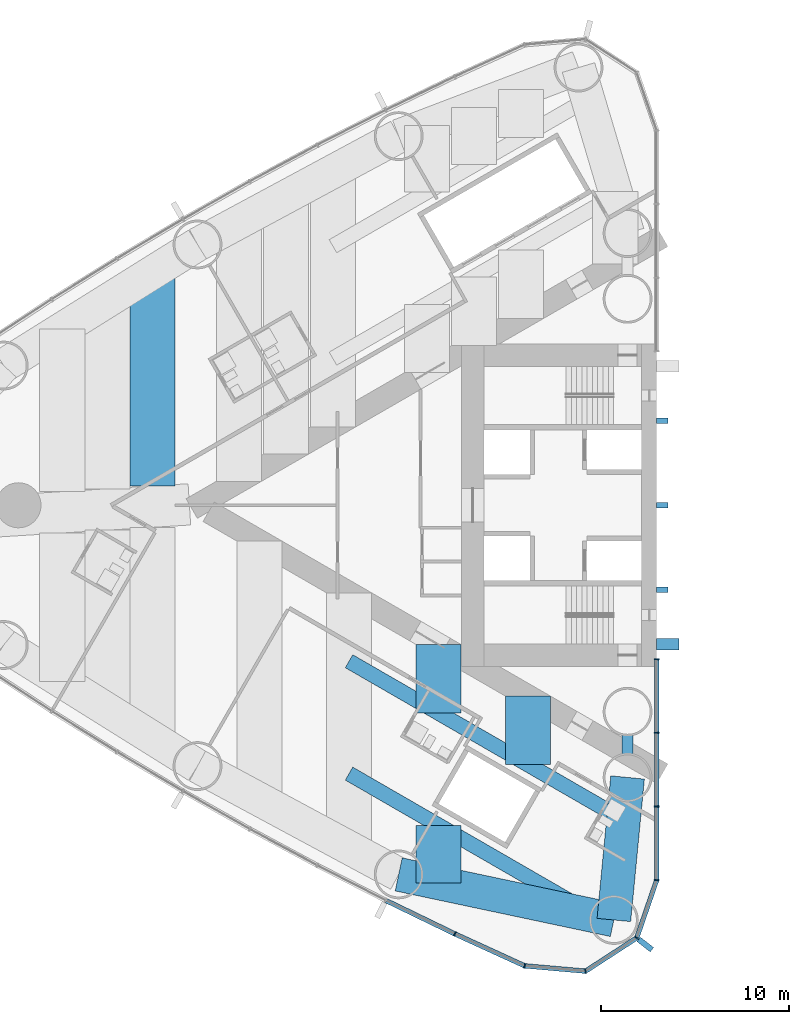
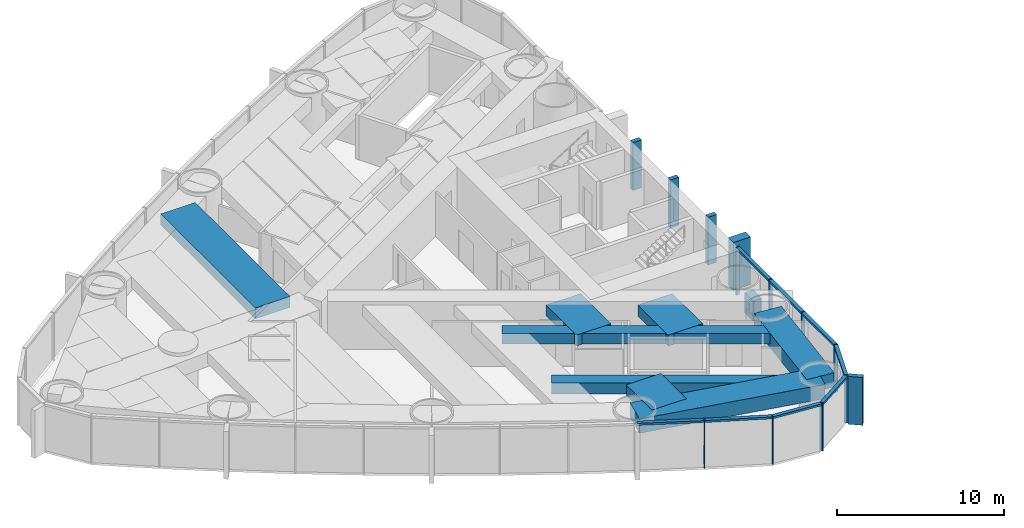
# One storey, part 3 of 18: 21 members, 9 beams, 1 element without a shape of its own.
"""IFC4 building model written with IfcOpenShell, lengths in metres."""

from ifc_helpers import new_model, si_unit, direction, frame, origin, origin_2d, place, context, subcontext, project, spatial, rectangle, hollow_rectangle, extrude, material, material_profile, profile_set, type_object, element, aggregate, save


model = new_model("IFC4")

# Units and contexts
model_context = context("Model", 3, precision=1e-05, world=origin(), true_north=direction((0.0, 1.0)))
body_context = subcontext(model_context, "Body", "Model", "MODEL_VIEW")
ifc_project = project(units=[si_unit("LENGTHUNIT", "METRE"), si_unit("AREAUNIT", "SQUARE_METRE"), si_unit("VOLUMEUNIT", "CUBIC_METRE"), si_unit("PLANEANGLEUNIT", "RADIAN"), si_unit("MASSUNIT", "GRAM", prefix="KILO")], contexts=[model_context])

# Site, building, storey
site_placement = place(None, origin())
site = spatial("IfcSite", under=ifc_project, at=site_placement, CompositionType="ELEMENT")
building_placement = place(site_placement, origin())
building = spatial("IfcBuilding", under=site, at=building_placement, Name="Lancet Gate Hotel", CompositionType="ELEMENT")
storey_placement = place(building_placement, frame((0.0, 0.0, 118.60009765625)))
storey = spatial("IfcBuildingStorey", under=building, at=storey_placement, Name="L31", CompositionType="ELEMENT", Elevation=118.60009765625)

# Curtain wall, members
ifc_material_1 = material(Name="Aluminium curtain wall", Category="aluminium")
curtain_wall_type = type_object("IfcCurtainWallType", Name="Tower unitised curtain wall", PredefinedType="USERDEFINED", material=ifc_material_1)
curtain_wall_placement = place(storey_placement, origin())
curtain_wall = element("IfcCurtainWall", 1, at=curtain_wall_placement, inside=storey, type_object=curtain_wall_type, Name="T1 L31 curtain wall 1", ObjectType="UNITISED CURTAIN WALL", PredefinedType="USERDEFINED")
ifc_material_2 = material(Name="Aluminium mullion", Category="aluminium")
ifc_material_profile_1 = material_profile(ifc_material_2, rectangle(XDim=0.06494140625, YDim=0.25, at=origin_2d()), Name="MULLION 65x250")
ifc_profile_set_1 = profile_set([ifc_material_profile_1], Name="Aluminium mullion")
member_type_1 = type_object("IfcMemberType", Name="Aluminium mullion 65x250", PredefinedType="MULLION", material=ifc_profile_set_1)
member_1_placement = place(storey_placement, frame((-38.25244140625, -22.83642578125, 0.0), z_axis=(0.0, 0.0, 1.0), x_axis=(0.904719609771, -0.426007544178, 0.0)))
member_1 = element("IfcMember", 2, at=member_1_placement, type_object=member_type_1, Name="T1 L31 curtain wall 1 mullion 29", PredefinedType="MULLION", context=body_context, shape_type="SweptSolid", body=[
    extrude(rectangle(XDim=0.06494140625, YDim=0.25, at=origin_2d()), origin(), (0.0, 0.0, 1.0), 3.5),
])
member_2_placement = place(storey_placement, frame((-34.5322265625, -24.53955078125, 0.0), z_axis=(0.0, 0.0, 1.0), x_axis=(0.961653318232, -0.27426792655, 0.0)))
member_2 = element("IfcMember", 3, at=member_2_placement, type_object=member_type_1, Name="T1 L31 curtain wall 1 mullion 30", PredefinedType="MULLION", context=body_context, shape_type="SweptSolid", body=[
    extrude(rectangle(XDim=0.06494140625, YDim=0.25, at=origin_2d()), origin(), (0.0, 0.0, 1.0), 3.5),
])
member_3_placement = place(storey_placement, frame((-31.289306640625, -24.822265625, 0.0), z_axis=(0.0, 0.0, 1.0), x_axis=(0.970242142288, 0.242136707934, 0.0)))
member_3 = element("IfcMember", 4, at=member_3_placement, type_object=member_type_1, Name="T1 L31 curtain wall 1 mullion 31", PredefinedType="MULLION", context=body_context, shape_type="SweptSolid", body=[
    extrude(rectangle(XDim=0.06494140625, YDim=0.25, at=origin_2d()), origin(), (0.0, 0.0, 1.0), 3.5),
])
member_4_placement = place(storey_placement, frame((-28.5595703125, -23.049072265625, 0.0), z_axis=(0.0, 0.0, 1.0), x_axis=(0.615574240878, 0.788078900851, 0.0)))
member_4 = element("IfcMember", 5, at=member_4_placement, type_object=member_type_1, Name="T1 L31 curtain wall 1 mullion 32", PredefinedType="MULLION", context=body_context, shape_type="SweptSolid", body=[
    extrude(rectangle(XDim=0.06494140625, YDim=0.25, at=origin_2d()), origin(), (0.0, 0.0, 1.0), 3.5),
])
member_5_placement = place(storey_placement, frame((-27.5, -19.97119140625, 0.0), z_axis=(0.0, 0.0, 1.0), x_axis=(0.149634446211, 0.988741388082, 0.0)))
member_5 = element("IfcMember", 6, at=member_5_placement, type_object=member_type_1, Name="T1 L31 curtain wall 1 mullion 33", PredefinedType="MULLION", context=body_context, shape_type="SweptSolid", body=[
    extrude(rectangle(XDim=0.06494140625, YDim=0.25, at=origin_2d()), origin(), (0.0, 0.0, 1.0), 3.5),
])
member_6_placement = place(storey_placement, frame((-27.5, -16.04736328125, 0.0), z_axis=(0.0, 0.0, 1.0), x_axis=(0.0, 1.0, 0.0)))
member_6 = element("IfcMember", 7, at=member_6_placement, type_object=member_type_1, Name="T1 L31 curtain wall 1 mullion 34", PredefinedType="MULLION", context=body_context, shape_type="SweptSolid", body=[
    extrude(rectangle(XDim=0.06494140625, YDim=0.25, at=origin_2d()), origin(), (0.0, 0.0, 1.0), 3.5),
])
member_7_placement = place(storey_placement, frame((-27.5, -12.123779296875, 0.0), z_axis=(0.0, 0.0, 1.0), x_axis=(0.0, 1.0, 0.0)))
member_7 = element("IfcMember", 8, at=member_7_placement, type_object=member_type_1, Name="T1 L31 curtain wall 1 mullion 35", PredefinedType="MULLION", context=body_context, shape_type="SweptSolid", body=[
    extrude(rectangle(XDim=0.06494140625, YDim=0.25, at=origin_2d()), origin(), (0.0, 0.0, 1.0), 3.5),
])
member_8_placement = place(storey_placement, frame((-27.5, -8.199951171875, 0.0), z_axis=(0.0, 0.0, 1.0), x_axis=(0.0, 1.0, 0.0)))
member_8 = element("IfcMember", 9, at=member_8_placement, type_object=member_type_1, Name="T1 L31 curtain wall 1 mullion 36", PredefinedType="MULLION", context=body_context, shape_type="SweptSolid", body=[
    extrude(rectangle(XDim=0.06494140625, YDim=0.25, at=origin_2d()), origin(), (0.0, 0.0, 1.0), 3.5),
])
ifc_material_3 = material(Name="Aluminium transom", Category="aluminium")
ifc_material_profile_2 = material_profile(ifc_material_3, rectangle(XDim=0.25, YDim=0.14990234375, at=origin_2d()), Name="TRANSOM 250x150")
ifc_profile_set_2 = profile_set([ifc_material_profile_2], Name="Aluminium transom")
member_type_2 = type_object("IfcMemberType", Name="Aluminium transom 250x150", PredefinedType="USERDEFINED", material=ifc_profile_set_2)
member_9_placement = place(storey_placement, frame((-41.906005859375, -21.067626953125, 3.4248046875), z_axis=(0.900065677074, -0.435754262117, 0.0), x_axis=(0.435754262117, 0.900065677074, 0.0)))
member_9 = element("IfcMember", 10, at=member_9_placement, type_object=member_type_2, Name="T1 L31 curtain wall 1 transom 28", ObjectType="TRANSOM", PredefinedType="USERDEFINED", context=body_context, shape_type="SweptSolid", body=[
    extrude(rectangle(XDim=0.25, YDim=0.14990234375, at=origin_2d()), origin(), (0.0, 0.0, 1.0), 4.026611328125),
])
member_10_placement = place(storey_placement, frame((-38.222900390625, -22.849853515625, 3.4248046875), z_axis=(0.909252284196, -0.416245460857, 0.0), x_axis=(0.416245460857, 0.909252284196, 0.0)))
member_10 = element("IfcMember", 11, at=member_10_placement, type_object=member_type_2, Name="T1 L31 curtain wall 1 transom 29", ObjectType="TRANSOM", PredefinedType="USERDEFINED", context=body_context, shape_type="SweptSolid", body=[
    extrude(rectangle(XDim=0.25, YDim=0.14990234375, at=origin_2d()), origin(), (0.0, 0.0, 1.0), 4.026611328125),
])
member_11_placement = place(storey_placement, frame((-34.499755859375, -24.542236328125, 3.4248046875), z_axis=(0.996213545522, -0.086940046686, 0.0), x_axis=(0.086940046686, 0.996213545522, 0.0)))
member_11 = element("IfcMember", 12, at=member_11_placement, type_object=member_type_2, Name="T1 L31 curtain wall 1 transom 30", ObjectType="TRANSOM", PredefinedType="USERDEFINED", context=body_context, shape_type="SweptSolid", body=[
    extrude(rectangle(XDim=0.25, YDim=0.14990234375, at=origin_2d()), origin(), (0.0, 0.0, 1.0), 3.18994140625),
])
member_12_placement = place(storey_placement, frame((-31.261962890625, -24.8046875, 3.4248046875), z_axis=(0.838550259452, 0.544824249068, 0.0), x_axis=(-0.544824249068, 0.838550259452, 0.0)))
member_12 = element("IfcMember", 13, at=member_12_placement, type_object=member_type_2, Name="T1 L31 curtain wall 1 transom 31", ObjectType="TRANSOM", PredefinedType="USERDEFINED", context=body_context, shape_type="SweptSolid", body=[
    extrude(rectangle(XDim=0.25, YDim=0.14990234375, at=origin_2d()), origin(), (0.0, 0.0, 1.0), 3.190185546875),
])
member_13_placement = place(storey_placement, frame((-28.549072265625, -23.018310546875, 3.4248046875), z_axis=(0.32553312754, 0.945530635609, 0.0), x_axis=(-0.945530635609, 0.32553312754, 0.0)))
member_13 = element("IfcMember", 14, at=member_13_placement, type_object=member_type_2, Name="T1 L31 curtain wall 1 transom 32", ObjectType="TRANSOM", PredefinedType="USERDEFINED", context=body_context, shape_type="SweptSolid", body=[
    extrude(rectangle(XDim=0.25, YDim=0.14990234375, at=origin_2d()), origin(), (0.0, 0.0, 1.0), 3.1904296875),
])
member_14_placement = place(storey_placement, frame((-27.5, -19.9384765625, 3.4248046875), z_axis=(0.0, 1.0, 0.0), x_axis=(-1.0, 0.0, 0.0)))
member_14 = element("IfcMember", 15, at=member_14_placement, type_object=member_type_2, Name="T1 L31 curtain wall 1 transom 33", ObjectType="TRANSOM", PredefinedType="USERDEFINED", context=body_context, shape_type="SweptSolid", body=[
    extrude(rectangle(XDim=0.25, YDim=0.14990234375, at=origin_2d()), origin(), (0.0, 0.0, 1.0), 3.858642578125),
])
member_15_placement = place(storey_placement, frame((-27.5, -16.014892578125, 3.4248046875), z_axis=(0.0, 1.0, 0.0), x_axis=(-1.0, 0.0, 0.0)))
member_15 = element("IfcMember", 16, at=member_15_placement, type_object=member_type_2, Name="T1 L31 curtain wall 1 transom 34", ObjectType="TRANSOM", PredefinedType="USERDEFINED", context=body_context, shape_type="SweptSolid", body=[
    extrude(rectangle(XDim=0.25, YDim=0.14990234375, at=origin_2d()), origin(), (0.0, 0.0, 1.0), 3.858642578125),
])
member_16_placement = place(storey_placement, frame((-27.5, -12.09130859375, 3.4248046875), z_axis=(0.0, 1.0, 0.0), x_axis=(-1.0, 0.0, 0.0)))
member_16 = element("IfcMember", 17, at=member_16_placement, type_object=member_type_2, Name="T1 L31 curtain wall 1 transom 35", ObjectType="TRANSOM", PredefinedType="USERDEFINED", context=body_context, shape_type="SweptSolid", body=[
    extrude(rectangle(XDim=0.25, YDim=0.14990234375, at=origin_2d()), origin(), (0.0, 0.0, 1.0), 3.85888671875),
])

# Beams
ifc_material_4 = material(Name="Concrete C50/60", Category="concrete")
ifc_material_profile_3 = material_profile(ifc_material_4, rectangle(XDim=1.800048828125, YDim=1.050048828125, at=origin_2d()), Name="RC 1800x1050")
ifc_profile_set_3 = profile_set([ifc_material_profile_3], Name="Concrete C50/60")
beam_type_1 = type_object("IfcBeamType", Name="Edge beam RC 1800x1050", PredefinedType="SPANDREL", material=ifc_profile_set_3)
beam_1_placement = place(storey_placement, frame((-41.244873046875, -19.665771484375, 2.724853515625), z_axis=(0.978282156247, -0.207277646573, 0.0), x_axis=(0.207277646573, 0.978282156247, 0.0)))
element("IfcBeam", 18, at=beam_1_placement, inside=storey, type_object=beam_type_1, Name="T1 edge beam EB1 L31", PredefinedType="SPANDREL", context=body_context, shape_type="SweptSolid", body=[
    extrude(rectangle(XDim=1.800048828125, YDim=1.050048828125, at=origin_2d()), origin(), (0.0, 0.0, 1.0), 11.71826171875),
])
beam_2_placement = place(storey_placement, frame((-29.050048828125, -14.5, 2.724853515625), z_axis=(-0.095802643786, -0.995400348324, 0.0), x_axis=(0.995400348324, -0.095802643786, 0.0)))
element("IfcBeam", 19, at=beam_2_placement, inside=storey, type_object=beam_type_1, Name="T1 edge beam EB1 L31", PredefinedType="SPANDREL", context=body_context, shape_type="SweptSolid", body=[
    extrude(rectangle(XDim=1.800048828125, YDim=1.050048828125, at=origin_2d()), origin(), (0.0, 0.0, 1.0), 7.6298828125),
])

# Member
ifc_material_5 = material(Name="Concrete C60/75", Category="concrete")
ifc_material_profile_4 = material_profile(ifc_material_5, rectangle(XDim=0.60009765625, YDim=1.199951171875, at=origin_2d()), Name="FIN 600x1200")
ifc_profile_set_4 = profile_set([ifc_material_profile_4], Name="Concrete C60/75")
member_type_3 = type_object("IfcMemberType", Name="Exposed concrete buttress pilaster 600x1200", PredefinedType="USERDEFINED", material=ifc_profile_set_4)
member_17_placement = place(storey_placement, frame((-26.909912109375, -7.39990234375, 0.0), z_axis=(0.0, 0.0, 1.0), x_axis=(0.0, 1.0, 0.0)))
element("IfcMember", 20, at=member_17_placement, inside=storey, type_object=member_type_3, Name="T1 buttress pilaster N L31", ObjectType="FIN", PredefinedType="USERDEFINED", context=body_context, shape_type="SweptSolid", body=[
    extrude(rectangle(XDim=0.60009765625, YDim=1.199951171875, at=origin_2d()), origin(), (0.0, 0.0, 1.0), 3.5),
])

ifc_material_6 = material(Name="Precast concrete C50/60", Category="concrete")
ifc_material_profile_5 = material_profile(ifc_material_6, rectangle(XDim=0.300048828125, YDim=0.89990234375, at=origin_2d()), Name="FIN 300x900")
ifc_profile_set_5 = profile_set([ifc_material_profile_5], Name="Precast concrete C50/60")
member_type_4 = type_object("IfcMemberType", Name="Exposed concrete fin 300x900", PredefinedType="USERDEFINED", material=ifc_profile_set_5)
member_18_placement = place(storey_placement, frame((-28.1064453125, -23.40283203125, 0.0), z_axis=(0.0, 0.0, 1.0), x_axis=(0.615574240878, 0.788078900851, 0.0)))
member_18 = element("IfcMember", 21, at=member_18_placement, type_object=member_type_4, Name="T1 L31 curtain wall 1 fin 32", ObjectType="FIN", PredefinedType="USERDEFINED", context=body_context, shape_type="SweptSolid", body=[
    extrude(rectangle(XDim=0.300048828125, YDim=0.89990234375, at=origin_2d()), origin(), (0.0, 0.0, 1.0), 3.5),
])

aggregate(curtain_wall, [member_1, member_2, member_3, member_4, member_18, member_5, member_6, member_7, member_8, member_9, member_10, member_11, member_12, member_13, member_14, member_15, member_16])

# Members
ifc_material_7 = material(Name="Concrete C60/75", Category="concrete")
ifc_material_profile_6 = material_profile(ifc_material_7, rectangle(XDim=0.300048828125, YDim=0.60009765625, at=origin_2d()), Name="FIN 300x600")
ifc_profile_set_6 = profile_set([ifc_material_profile_6], Name="Concrete C60/75")
member_type_5 = type_object("IfcMemberType", Name="Exposed concrete rib 300x600", PredefinedType="USERDEFINED", material=ifc_profile_set_6)
for number, where, z_axis, x_axis, name in (
    (22, (-27.2099609375, 4.5, 0.0), (0.0, 0.0, 1.0), (0.0, 1.0, 0.0), "T1 core rib 1 L31"),
    (23, (-27.2099609375, 0.0, 0.0), (0.0, 0.0, 1.0), (0.0, 1.0, 0.0), "T1 core rib 2 L31"),
    (24, (-27.2099609375, -4.5, 0.0), (0.0, 0.0, 1.0), (0.0, 1.0, 0.0), "T1 core rib 3 L31"),
):
    element("IfcMember", number, at=place(storey_placement, frame(where, z_axis=z_axis, x_axis=x_axis)), inside=storey, type_object=member_type_5, Name=name, ObjectType="FIN", PredefinedType="USERDEFINED", context=body_context, shape_type="SweptSolid", body=[
        extrude(rectangle(XDim=0.300048828125, YDim=0.60009765625, at=origin_2d()), origin(), (0.0, 0.0, 1.0), 3.5),
    ])

# Beams
ifc_material_8 = material(Name="Concrete C50/60", Category="concrete")
ifc_material_profile_7 = material_profile(ifc_material_8, rectangle(XDim=2.39990234375, YDim=0.800048828125, at=origin_2d()), Name="RC 2400x800")
ifc_profile_set_7 = profile_set([ifc_material_profile_7], Name="Concrete C50/60")
beam_type_2 = type_object("IfcBeamType", Name="Floor beam RC 2400x800", PredefinedType="BEAM", material=ifc_profile_set_7)
beam_3_placement = place(storey_placement, frame((-54.3681640625, 12.392333984375, 2.849853515625), z_axis=(0.0, -1.0, 0.0), x_axis=(1.0, 0.0, 0.0)))
element("IfcBeam", 25, at=beam_3_placement, inside=storey, type_object=beam_type_2, Name="T1 floor beam F13S L31", PredefinedType="BEAM", context=body_context, shape_type="SweptSolid", body=[
    extrude(rectangle(XDim=2.39990234375, YDim=0.800048828125, at=origin_2d()), origin(), (0.0, 0.0, 1.0), 11.364990234375),
])
beam_4_placement = place(storey_placement, frame((-34.353515625, -10.169921875, 2.849853515625), z_axis=(0.0, -1.0, 0.0), x_axis=(1.0, 0.0, 0.0)))
element("IfcBeam", 26, at=beam_4_placement, inside=storey, type_object=beam_type_2, Name="T1 floor beam F03NA L31", PredefinedType="BEAM", context=body_context, shape_type="SweptSolid", body=[
    extrude(rectangle(XDim=2.39990234375, YDim=0.800048828125, at=origin_2d()), origin(), (0.0, 0.0, 1.0), 3.645751953125),
])
beam_5_placement = place(storey_placement, frame((-39.122314453125, -7.41650390625, 2.849853515625), z_axis=(0.0, -1.0, 0.0), x_axis=(1.0, 0.0, 0.0)))
element("IfcBeam", 27, at=beam_5_placement, inside=storey, type_object=beam_type_2, Name="T1 floor beam F06NA L31", PredefinedType="BEAM", context=body_context, shape_type="SweptSolid", body=[
    extrude(rectangle(XDim=2.39990234375, YDim=0.800048828125, at=origin_2d()), origin(), (0.0, 0.0, 1.0), 3.64599609375),
])
beam_6_placement = place(storey_placement, frame((-39.122314453125, -17.0498046875, 2.849853515625), z_axis=(0.0, -1.0, 0.0), x_axis=(1.0, 0.0, 0.0)))
element("IfcBeam", 28, at=beam_6_placement, inside=storey, type_object=beam_type_2, Name="T1 floor beam F06NB L31", PredefinedType="BEAM", context=body_context, shape_type="SweptSolid", body=[
    extrude(rectangle(XDim=2.39990234375, YDim=0.800048828125, at=origin_2d()), origin(), (0.0, 0.0, 1.0), 3.065673828125),
])
ifc_material_9 = material(Name="Steel S460QL", Category="steel")
ifc_material_profile_8 = material_profile(ifc_material_9, hollow_rectangle(XDim=0.60009765625, YDim=1.5, WallThickness=0.050048828125, at=origin_2d()), Name="BOX 1500x600x50")
ifc_profile_set_8 = profile_set([ifc_material_profile_8], Name="Steel S460QL")
beam_type_3 = type_object("IfcBeamType", Name="Inner-face link beam BOX 1500x600x50", PredefinedType="BEAM", material=ifc_profile_set_8)
beam_7_placement = place(storey_placement, frame((-29.050048828125, -12.25, 2.5), z_axis=(0.0, -1.0, 0.0), x_axis=(1.0, 0.0, 0.0)))
element("IfcBeam", 29, at=beam_7_placement, inside=storey, type_object=beam_type_3, Name="T1 inner-face link beam LK1 L31", PredefinedType="BEAM", context=body_context, shape_type="SweptSolid", body=[
    extrude(hollow_rectangle(XDim=0.60009765625, YDim=1.5, WallThickness=0.050048828125, at=origin_2d()), origin(), (0.0, 0.0, 1.0), 1.0),
])
ifc_material_10 = material(Name="Steel S460QL", Category="steel")
ifc_material_profile_9 = material_profile(ifc_material_10, hollow_rectangle(XDim=0.800048828125, YDim=0.800048828125, WallThickness=0.080078125, at=origin_2d()), Name="BOX 800x800x80")
ifc_profile_set_9 = profile_set([ifc_material_profile_9], Name="Steel S460QL")
beam_type_4 = type_object("IfcBeamType", Name="Trimmer beam BOX 800x800x80", PredefinedType="BEAM", material=ifc_profile_set_9)
beam_8_placement = place(storey_placement, frame((-29.58447265625, -16.56884765625, 2.849853515625), z_axis=(-0.866040141834, 0.49997447208, 0.0), x_axis=(-0.49997447208, -0.866040141834, 0.0)))
element("IfcBeam", 30, at=beam_8_placement, inside=storey, type_object=beam_type_4, Name="T1 trimmer beam TR01N L31", PredefinedType="BEAM", context=body_context, shape_type="SweptSolid", body=[
    extrude(hollow_rectangle(XDim=0.800048828125, YDim=0.800048828125, WallThickness=0.080078125, at=origin_2d()), origin(), (0.0, 0.0, 1.0), 16.519775390625),
])
beam_9_placement = place(storey_placement, frame((-30.982421875, -21.7490234375, 2.849853515625), z_axis=(-0.866042392862, 0.4999705729, 0.0), x_axis=(-0.4999705729, -0.866042392862, 0.0)))
element("IfcBeam", 31, at=beam_9_placement, inside=storey, type_object=beam_type_4, Name="T1 trimmer beam TR03N L31", PredefinedType="BEAM", context=body_context, shape_type="SweptSolid", body=[
    extrude(hollow_rectangle(XDim=0.800048828125, YDim=0.800048828125, WallThickness=0.080078125, at=origin_2d()), origin(), (0.0, 0.0, 1.0), 14.90576171875),
])

save(model, "model.ifc")
